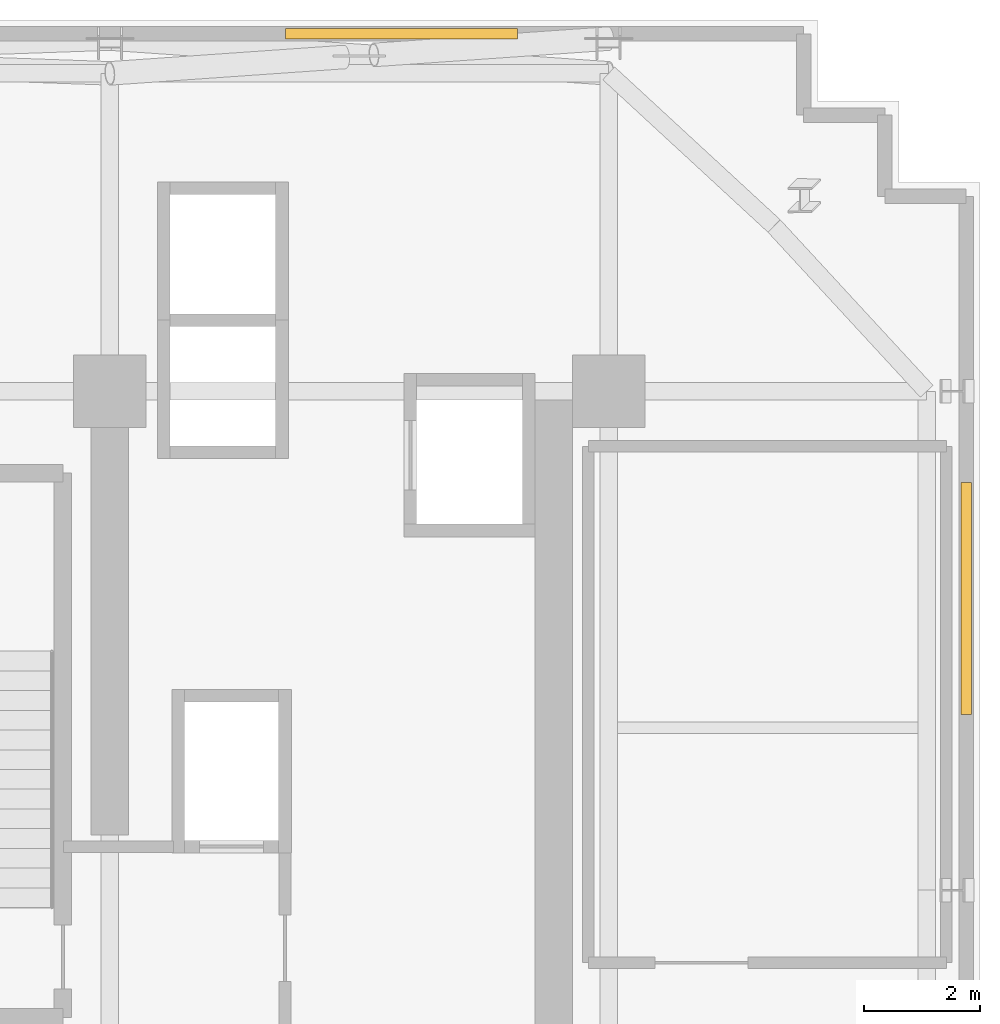
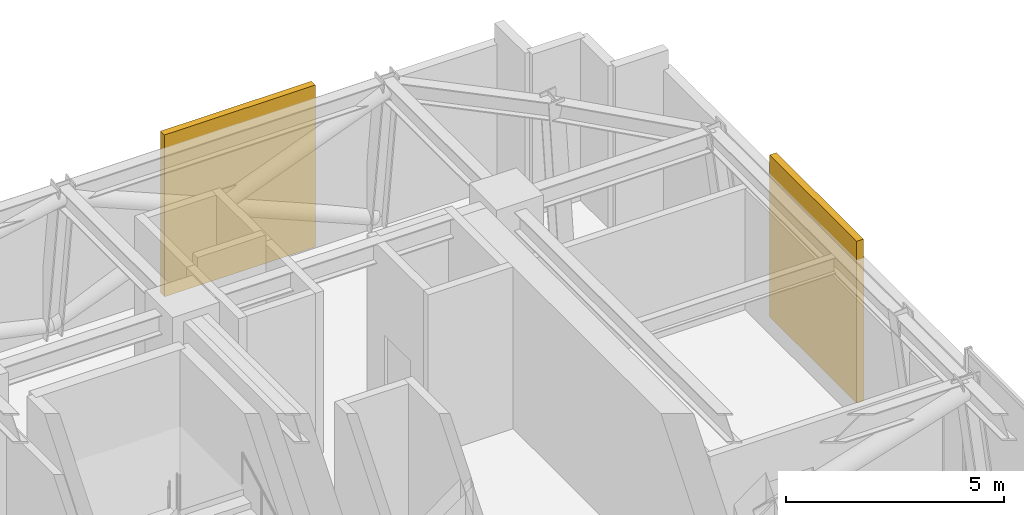
# One storey, part 15 of 15: 2 shading devices.
"""IFC4 building model written with IfcOpenShell, lengths in metres."""

from ifc_helpers import new_model, si_unit, direction, frame, origin, origin_2d, place, context, subcontext, project, spatial, rectangle, extrude, source, transform, mapped, material, layer, layer_set, type_object, element, save


model = new_model("IFC4")

# Units and contexts
model_context = context("Model", 3, precision=1e-05, world=origin(), true_north=direction((0.0, 1.0)))
body_context = subcontext(model_context, "Body", "Model", "MODEL_VIEW")
ifc_project = project(units=[si_unit("LENGTHUNIT", "METRE"), si_unit("AREAUNIT", "SQUARE_METRE"), si_unit("VOLUMEUNIT", "CUBIC_METRE"), si_unit("PLANEANGLEUNIT", "RADIAN"), si_unit("MASSUNIT", "GRAM", prefix="KILO")], contexts=[model_context])

# Site, building, storey
site_placement = place(None, origin())
site = spatial("IfcSite", under=ifc_project, at=site_placement, CompositionType="ELEMENT")
building_placement = place(site_placement, origin())
building = spatial("IfcBuilding", under=site, at=building_placement, Name="Nahalor Promenade Grand Hotel", CompositionType="ELEMENT")
storey_placement = place(building_placement, frame((0.0, 0.0, 144.199951171875)))
storey = spatial("IfcBuildingStorey", under=building, at=storey_placement, Name="L36", CompositionType="ELEMENT", Elevation=144.199951171875)

# Shading devices
ifc_material = material(Name="Anodised Bronze Aluminium EN AW-6063 T6", Category="aluminium")
ifc_layer = layer(ifc_material, 0.179931640625)
ifc_layer_set = layer_set([ifc_layer], Name="Anodised Bronze Aluminium EN AW-6063 T6")
shading_device_type = type_object("IfcShadingDeviceType", Name="Shade-PlantLouvre-Bronze", PredefinedType="USERDEFINED", material=ifc_layer_set)
shared_shape = source(origin(), body_context, "Body", "SweptSolid", [
    extrude(rectangle(XDim=4.0, YDim=0.179931640625, at=origin_2d()), origin(), (0.0, 0.0, 1.0), 4.5400390625),
])
for number, where, z_axis, x_axis, name in (
    (1, (13.429931640625, 23.159912109375, 0.0), (0.0, 0.0, 1.0), (1.0, 0.0, 0.0), "LV-L36-NR"),
    (2, (23.159912109375, 13.429931640625, 0.0), (0.0, 0.0, 1.0), (0.0, 1.0, 0.0), "LV-L36-ER"),
):
    element("IfcShadingDevice", number, at=place(storey_placement, frame(where, z_axis=z_axis, x_axis=x_axis)), inside=storey, type_object=shading_device_type, Name=name, ObjectType="LOUVRE", PredefinedType="USERDEFINED", context=body_context, shape_type="MappedRepresentation", body=[
        mapped(shared_shape, transform((0.0, 0.0, 0.0), scale=1.0)),
    ])

save(model, "model.ifc")
